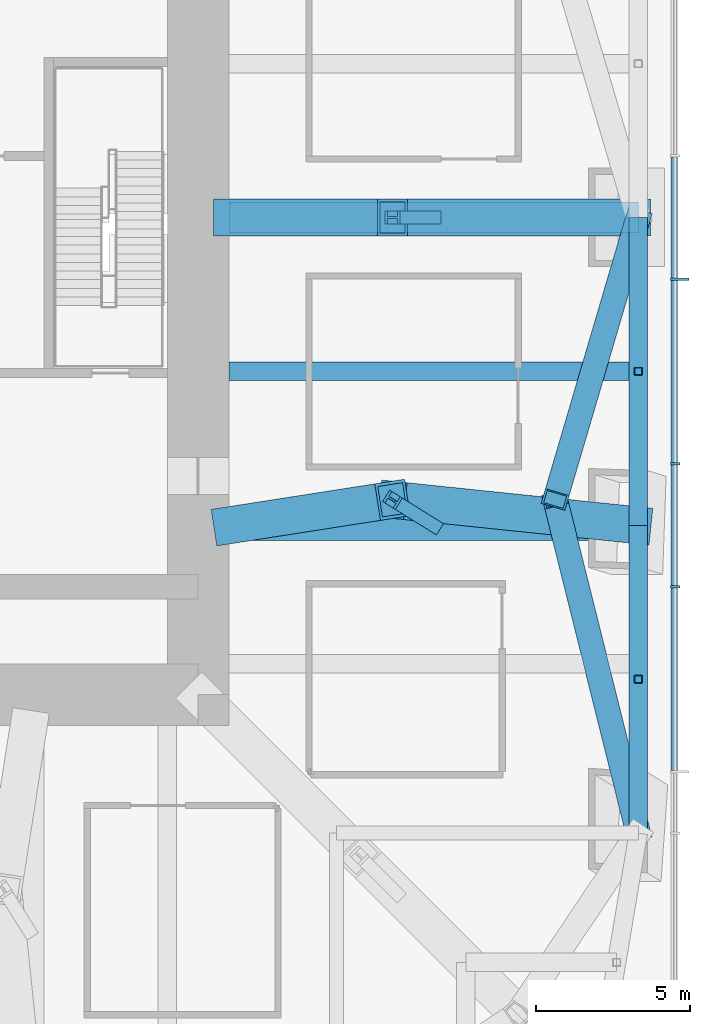
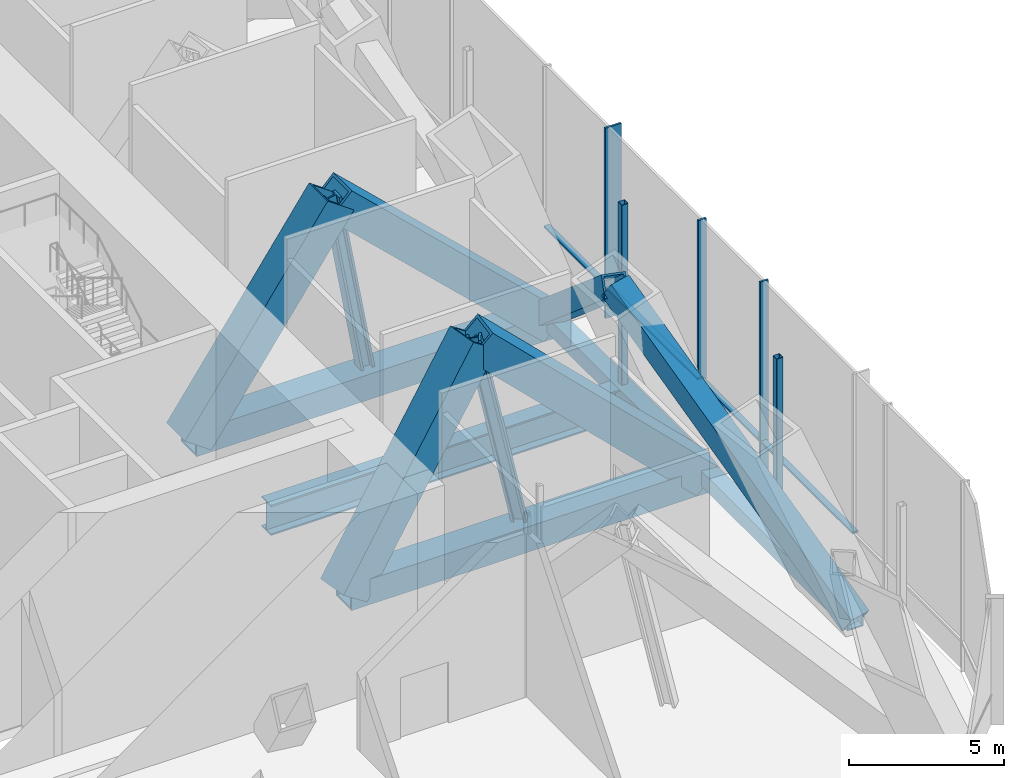
# One storey, part 5 of 20: 21 members, 1 beam, 1 element without a shape of its own.
"""IFC4 building model written with IfcOpenShell, lengths in metres."""

from ifc_helpers import new_model, si_unit, direction, frame, origin, origin_2d, place, context, subcontext, project, spatial, rectangle, hollow_rectangle, i_section, extrude, material, material_profile, profile_set, type_object, element, aggregate, save


model = new_model("IFC4")

# Units and contexts
model_context = context("Model", 3, precision=1e-05, world=origin(), true_north=direction((0.0, 1.0)))
body_context = subcontext(model_context, "Body", "Model", "MODEL_VIEW")
ifc_project = project(units=[si_unit("LENGTHUNIT", "METRE"), si_unit("AREAUNIT", "SQUARE_METRE"), si_unit("VOLUMEUNIT", "CUBIC_METRE"), si_unit("PLANEANGLEUNIT", "RADIAN"), si_unit("MASSUNIT", "GRAM", prefix="KILO")], contexts=[model_context])

# Site, building, storey
site_placement = place(None, origin())
site = spatial("IfcSite", under=ifc_project, at=site_placement, CompositionType="ELEMENT")
building_placement = place(site_placement, origin())
building = spatial("IfcBuilding", under=site, at=building_placement, Name="Khuree Lantern Residences", CompositionType="ELEMENT")
storey_placement = place(building_placement, frame((0.0, 0.0, 99.75)))
storey = spatial("IfcBuildingStorey", under=building, at=storey_placement, Name="L25", CompositionType="ELEMENT", Elevation=99.75)

# Beam
ifc_material_1 = material(Name="Steel S355", Category="steel")
ifc_material_profile_1 = material_profile(ifc_material_1, i_section(OverallWidth=0.60009765625, OverallDepth=1.199951171875, WebThickness=0.030029296875, FlangeThickness=0.06005859375, at=origin_2d()), Name="WELDED I 1200X600X30X60")
ifc_profile_set_1 = profile_set([ifc_material_profile_1], Name="Steel S355")
beam_type = type_object("IfcBeamType", Name="B-25 SECONDARY BEAM WELDED I 1200X600X30X60", PredefinedType="BEAM", material=ifc_profile_set_1)
beam_placement = place(storey_placement, frame((29.800048828125, -5.0, -0.949951171875), z_axis=(-1.0, 0.0, 0.0), x_axis=(0.0, -1.0, 0.0)))
element("IfcBeam", 1, at=beam_placement, inside=storey, type_object=beam_type, Name="Secondary beam E4", PredefinedType="BEAM", context=body_context, shape_type="SweptSolid", body=[
    extrude(i_section(OverallWidth=0.60009765625, OverallDepth=1.199951171875, WebThickness=0.030029296875, FlangeThickness=0.06005859375, at=origin_2d()), origin(), (0.0, 0.0, 1.0), 13.300048828125),
])

# Members
ifc_material_profile_2 = material_profile(ifc_material_1, hollow_rectangle(XDim=0.800048828125, YDim=0.800048828125, WallThickness=0.070068359375, at=origin_2d()), Name="WELDED BOX 800X800X70")
ifc_profile_set_2 = profile_set([ifc_material_profile_2], Name="Steel S355")
member_type_1 = type_object("IfcMemberType", Name="BD-25 BELT TRUSS DIAGONAL WELDED BOX 800X800X70", PredefinedType="BRACE", material=ifc_profile_set_2)
member_1_placement = place(storey_placement, frame((29.800048828125, 0.0, -0.64990234375), z_axis=(-0.22122462626, -0.750531400006, 0.622705614509), x_axis=(0.959199239774, -0.282731000098, 0.0)))
element("IfcMember", 2, at=member_1_placement, inside=storey, type_object=member_type_1, Name="Belt truss diagonal E4", PredefinedType="BRACE", context=body_context, shape_type="SweptSolid", body=[
    extrude(hollow_rectangle(XDim=0.800048828125, YDim=0.800048828125, WallThickness=0.070068359375, at=origin_2d()), origin(), (0.0, 0.0, 1.0), 12.20458984375),
])
member_2_placement = place(storey_placement, frame((27.10009765625, -9.159912109375, 6.949951171875), z_axis=(0.199829234991, -0.802298387089, -0.562481621849), x_axis=(0.970354244709, 0.241687069936, 0.0)))
element("IfcMember", 3, at=member_2_placement, inside=storey, type_object=member_type_1, Name="Belt truss diagonal E5", PredefinedType="BRACE", context=body_context, shape_type="SweptSolid", body=[
    extrude(hollow_rectangle(XDim=0.800048828125, YDim=0.800048828125, WallThickness=0.070068359375, at=origin_2d()), origin(), (0.0, 0.0, 1.0), 13.51123046875),
])
ifc_material_profile_3 = material_profile(ifc_material_1, hollow_rectangle(XDim=0.60009765625, YDim=0.60009765625, WallThickness=0.050048828125, at=origin_2d()), Name="WELDED BOX 600X600X50")
ifc_profile_set_3 = profile_set([ifc_material_profile_3], Name="Steel S355")
member_type_2 = type_object("IfcMemberType", Name="BT-25 BELT TRUSS CHORD WELDED BOX 600X600X50", PredefinedType="CHORD", material=ifc_profile_set_3)
for number, where, z_axis, x_axis, name in (
    (4, (29.800048828125, 0.0, -0.64990234375), (0.0, -1.0, 0.0), (1.0, 0.0, 0.0), "Belt truss chord E4"),
    (5, (29.800048828125, -10.0, -0.64990234375), (0.0, -1.0, 0.0), (1.0, 0.0, 0.0), "Belt truss chord E5"),
):
    element("IfcMember", number, at=place(storey_placement, frame(where, z_axis=z_axis, x_axis=x_axis)), inside=storey, type_object=member_type_2, Name=name, PredefinedType="CHORD", context=body_context, shape_type="SweptSolid", body=[
        extrude(hollow_rectangle(XDim=0.60009765625, YDim=0.60009765625, WallThickness=0.050048828125, at=origin_2d()), origin(), (0.0, 0.0, 1.0), 10.0),
    ])

# Curtain wall, members
ifc_material_2 = material(Name="Bronze anodised aluminium", Category="aluminium")
curtain_wall_type = type_object("IfcCurtainWallType", Name="CW-G PLANT STOREY LOUVRED CURTAIN WALL", PredefinedType="USERDEFINED", material=ifc_material_2)
curtain_wall_placement = place(storey_placement, origin())
curtain_wall = element("IfcCurtainWall", 6, at=curtain_wall_placement, inside=storey, type_object=curtain_wall_type, Name="L25 EAST FACE CURTAIN WALL", ObjectType="Louvred curtain wall", PredefinedType="USERDEFINED")
ifc_material_profile_4 = material_profile(ifc_material_2, rectangle(XDim=0.080078125, YDim=0.60009765625, at=origin_2d()), Name="F2 80X600")
ifc_profile_set_4 = profile_set([ifc_material_profile_4], Name="Bronze anodised aluminium")
member_type_3 = type_object("IfcMemberType", Name="F2 BRONZE FIN MULLION PLANT 80X600", PredefinedType="MULLION", material=ifc_profile_set_4)
member_3_placement = place(storey_placement, frame((31.14990234375, -2.0, 0.0), z_axis=(0.0, 0.0, 1.0), x_axis=(0.0, 1.0, 0.0)))
member_3 = element("IfcMember", 7, at=member_3_placement, type_object=member_type_3, Name="L25 EAST FACE FIN MULLION 9", PredefinedType="MULLION", context=body_context, shape_type="SweptSolid", body=[
    extrude(rectangle(XDim=0.080078125, YDim=0.60009765625, at=origin_2d()), origin(), (0.0, 0.0, 1.0), 7.5),
])
ifc_material_profile_5 = material_profile(ifc_material_2, rectangle(XDim=0.080078125, YDim=0.300048828125, at=origin_2d()), Name="M2 80X300")
ifc_profile_set_5 = profile_set([ifc_material_profile_5], Name="Bronze anodised aluminium")
member_type_4 = type_object("IfcMemberType", Name="MULLION M2 PLANT 80X300", PredefinedType="MULLION", material=ifc_profile_set_5)
member_4_placement = place(storey_placement, frame((31.0, -12.0, 0.0), z_axis=(0.0, 0.0, 1.0), x_axis=(0.0, 1.0, 0.0)))
member_4 = element("IfcMember", 8, at=member_4_placement, type_object=member_type_4, Name="L25 EAST FACE MULLION 7", PredefinedType="MULLION", context=body_context, shape_type="SweptSolid", body=[
    extrude(rectangle(XDim=0.080078125, YDim=0.300048828125, at=origin_2d()), origin(), (0.0, 0.0, 1.0), 7.5),
])
member_5_placement = place(storey_placement, frame((31.0, -8.0, 0.0), z_axis=(0.0, 0.0, 1.0), x_axis=(0.0, 1.0, 0.0)))
member_5 = element("IfcMember", 9, at=member_5_placement, type_object=member_type_4, Name="L25 EAST FACE MULLION 8", PredefinedType="MULLION", context=body_context, shape_type="SweptSolid", body=[
    extrude(rectangle(XDim=0.080078125, YDim=0.300048828125, at=origin_2d()), origin(), (0.0, 0.0, 1.0), 7.5),
])

# Members
ifc_material_profile_6 = material_profile(ifc_material_1, hollow_rectangle(XDim=1.199951171875, YDim=1.199951171875, WallThickness=0.10009765625, at=origin_2d()), Name="WELDED BOX 1200X1200X100")
ifc_profile_set_6 = profile_set([ifc_material_profile_6], Name="Steel S355")
member_type_5 = type_object("IfcMemberType", Name="OD-25 OUTRIGGER TRUSS DIAGONAL WELDED BOX 1200X1200X100", PredefinedType="BRACE", material=ifc_profile_set_6)
member_6_placement = place(storey_placement, frame((16.5, 0.0, -0.85009765625), z_axis=(0.573303353391, 0.0, 0.819343191215), x_axis=(0.0, 1.0, 0.0)))
element("IfcMember", 10, at=member_6_placement, inside=storey, type_object=member_type_5, Name="Outrigger diagonal E3 core side", PredefinedType="BRACE", context=body_context, shape_type="SweptSolid", body=[
    extrude(hollow_rectangle(XDim=1.199951171875, YDim=1.199951171875, WallThickness=0.10009765625, at=origin_2d()), origin(), (0.0, 0.0, 1.0), 9.27587890625),
])
member_7_placement = place(storey_placement, frame((21.81787109375, 0.0, 6.75), z_axis=(0.724227477195, 0.0, -0.689561136721), x_axis=(0.0, 1.0, 0.0)))
element("IfcMember", 11, at=member_7_placement, inside=storey, type_object=member_type_5, Name="Outrigger diagonal E3 column side", PredefinedType="BRACE", context=body_context, shape_type="SweptSolid", body=[
    extrude(hollow_rectangle(XDim=1.199951171875, YDim=1.199951171875, WallThickness=0.10009765625, at=origin_2d()), origin(), (0.0, 0.0, 1.0), 11.021728515625),
])
member_8_placement = place(storey_placement, frame((16.5, -10.0, -0.85009765625), z_axis=(0.571028170987, 0.089001957603, 0.81609158768), x_axis=(-0.154003250743, 0.988070340998, 0.0)))
element("IfcMember", 12, at=member_8_placement, inside=storey, type_object=member_type_5, Name="Outrigger diagonal E4 core side", PredefinedType="BRACE", context=body_context, shape_type="SweptSolid", body=[
    extrude(hollow_rectangle(XDim=1.199951171875, YDim=1.199951171875, WallThickness=0.10009765625, at=origin_2d()), origin(), (0.0, 0.0, 1.0), 9.312744140625),
])
member_9_placement = place(storey_placement, frame((21.81787109375, -9.171142578125, 6.75), z_axis=(0.722188208122, -0.074990945606, -0.687619480619), x_axis=(0.103283178244, 0.994651991951, 0.0)))
element("IfcMember", 13, at=member_9_placement, inside=storey, type_object=member_type_5, Name="Outrigger diagonal E4 column side", PredefinedType="BRACE", context=body_context, shape_type="SweptSolid", body=[
    extrude(hollow_rectangle(XDim=1.199951171875, YDim=1.199951171875, WallThickness=0.10009765625, at=origin_2d()), origin(), (0.0, 0.0, 1.0), 11.052734375),
])
ifc_material_profile_7 = material_profile(ifc_material_1, i_section(OverallWidth=0.431884765625, OverallDepth=0.498046875, WebThickness=0.0556640625, FlangeThickness=0.0888671875, FilletRadius=0.014892578125, at=origin_2d()), Name="HD 400X744")
ifc_profile_set_7 = profile_set([ifc_material_profile_7], Name="Steel S355")
member_type_6 = type_object("IfcMemberType", Name="OP-25 OUTRIGGER TRUSS POST HD 400X744", PredefinedType="POST", material=ifc_profile_set_7)
member_10_placement = place(storey_placement, frame((23.14990234375, 0.0, -0.85009765625), z_axis=(-0.172633608015, 0.0, 0.984986110249), x_axis=(0.0, -1.0, 0.0)))
element("IfcMember", 14, at=member_10_placement, inside=storey, type_object=member_type_6, Name="Outrigger post E3", PredefinedType="POST", context=body_context, shape_type="SweptSolid", body=[
    extrude(i_section(OverallWidth=0.431884765625, OverallDepth=0.498046875, WebThickness=0.0556640625, FlangeThickness=0.0888671875, FilletRadius=0.014892578125, at=origin_2d()), origin(), (0.0, 0.0, 1.0), 7.716064453125),
])
member_11_placement = place(storey_placement, frame((23.14990234375, -10.0, -0.85009765625), z_axis=(-0.171646105966, 0.106806915278, 0.979351773958), x_axis=(-0.528319337489, -0.849045745314, 0.0)))
element("IfcMember", 15, at=member_11_placement, inside=storey, type_object=member_type_6, Name="Outrigger post E4", PredefinedType="POST", context=body_context, shape_type="SweptSolid", body=[
    extrude(i_section(OverallWidth=0.431884765625, OverallDepth=0.498046875, WebThickness=0.0556640625, FlangeThickness=0.0888671875, FilletRadius=0.014892578125, at=origin_2d()), origin(), (0.0, 0.0, 1.0), 7.76025390625),
])
ifc_material_profile_8 = material_profile(ifc_material_1, hollow_rectangle(XDim=1.0, YDim=1.0, WallThickness=0.080078125, at=origin_2d()), Name="WELDED BOX 1000X1000X80")
ifc_profile_set_8 = profile_set([ifc_material_profile_8], Name="Steel S355")
member_type_7 = type_object("IfcMemberType", Name="OT-25 OUTRIGGER TRUSS CHORD WELDED BOX 1000X1000X80", PredefinedType="CHORD", material=ifc_profile_set_8)
for number, where, z_axis, x_axis, name in (
    (16, (29.800048828125, 0.0, -0.85009765625), (-1.0, 0.0, 0.0), (0.0, -1.0, 0.0), "Outrigger chord E3"),
    (17, (29.800048828125, -10.0, -0.85009765625), (-1.0, 0.0, 0.0), (0.0, -1.0, 0.0), "Outrigger chord E4"),
):
    element("IfcMember", number, at=place(storey_placement, frame(where, z_axis=z_axis, x_axis=x_axis)), inside=storey, type_object=member_type_7, Name=name, PredefinedType="CHORD", context=body_context, shape_type="SweptSolid", body=[
        extrude(hollow_rectangle(XDim=1.0, YDim=1.0, WallThickness=0.080078125, at=origin_2d()), origin(), (0.0, 0.0, 1.0), 13.300048828125),
    ])
ifc_material_profile_9 = material_profile(ifc_material_1, hollow_rectangle(XDim=0.25, YDim=0.25, WallThickness=0.012451171875, InnerFilletRadius=0.012451171875, OuterFilletRadius=0.018798828125, at=origin_2d()), Name="SHS 250X250X12.5")
ifc_profile_set_9 = profile_set([ifc_material_profile_9], Name="Steel S355")
member_type_8 = type_object("IfcMemberType", Name="TP1 TERRACE POST SHS 250X250X12.5", PredefinedType="POST", material=ifc_profile_set_9)
for number, where, z_axis, x_axis, name in (
    (18, (29.800048828125, -5.0, -0.35009765625), (0.0, 0.0, 1.0), (1.0, 0.0, 0.0), "Terrace post E4"),
    (19, (29.800048828125, -15.0, -0.35009765625), (0.0, 0.0, 1.0), (1.0, 0.0, 0.0), "Terrace post E5"),
):
    element("IfcMember", number, at=place(storey_placement, frame(where, z_axis=z_axis, x_axis=x_axis)), inside=storey, type_object=member_type_8, Name=name, PredefinedType="POST", context=body_context, shape_type="SweptSolid", body=[
        extrude(hollow_rectangle(XDim=0.25, YDim=0.25, WallThickness=0.012451171875, InnerFilletRadius=0.012451171875, OuterFilletRadius=0.018798828125, at=origin_2d()), origin(), (0.0, 0.0, 1.0), 7.10009765625),
    ])

# Member
ifc_material_profile_10 = material_profile(ifc_material_2, rectangle(XDim=0.219970703125, YDim=0.080078125, at=origin_2d()), Name="T2 220X80")
ifc_profile_set_10 = profile_set([ifc_material_profile_10], Name="Bronze anodised aluminium")
member_type_9 = type_object("IfcMemberType", Name="TRANSOM T2 PLANT 220X80", PredefinedType="USERDEFINED", material=ifc_profile_set_10)
member_12_placement = place(storey_placement, frame((30.969970703125, -17.9599609375, 1.199951171875), z_axis=(0.0, 1.0, 0.0), x_axis=(-1.0, 0.0, 0.0)))
member_12 = element("IfcMember", 20, at=member_12_placement, type_object=member_type_9, Name="L25 EAST FACE TRANSOM 6.1", ObjectType="Transom", PredefinedType="USERDEFINED", context=body_context, shape_type="SweptSolid", body=[
    extrude(rectangle(XDim=0.219970703125, YDim=0.080078125, at=origin_2d()), origin(), (0.0, 0.0, 1.0), 5.919921875),
])

member_13_placement = place(storey_placement, frame((30.969970703125, -11.9599609375, 1.199951171875), z_axis=(0.0, 1.0, 0.0), x_axis=(-1.0, 0.0, 0.0)))
member_13 = element("IfcMember", 21, at=member_13_placement, type_object=member_type_9, Name="L25 EAST FACE TRANSOM 7.1", ObjectType="Transom", PredefinedType="USERDEFINED", context=body_context, shape_type="SweptSolid", body=[
    extrude(rectangle(XDim=0.219970703125, YDim=0.080078125, at=origin_2d()), origin(), (0.0, 0.0, 1.0), 3.919921875),
])

member_14_placement = place(storey_placement, frame((30.969970703125, -7.9599609375, 1.199951171875), z_axis=(0.0, 1.0, 0.0), x_axis=(-1.0, 0.0, 0.0)))
member_14 = element("IfcMember", 22, at=member_14_placement, type_object=member_type_9, Name="L25 EAST FACE TRANSOM 8.1", ObjectType="Transom", PredefinedType="USERDEFINED", context=body_context, shape_type="SweptSolid", body=[
    extrude(rectangle(XDim=0.219970703125, YDim=0.080078125, at=origin_2d()), origin(), (0.0, 0.0, 1.0), 5.919921875),
])

member_15_placement = place(storey_placement, frame((30.969970703125, -1.9599609375, 1.199951171875), z_axis=(0.0, 1.0, 0.0), x_axis=(-1.0, 0.0, 0.0)))
member_15 = element("IfcMember", 23, at=member_15_placement, type_object=member_type_9, Name="L25 EAST FACE TRANSOM 9.1", ObjectType="Transom", PredefinedType="USERDEFINED", context=body_context, shape_type="SweptSolid", body=[
    extrude(rectangle(XDim=0.219970703125, YDim=0.080078125, at=origin_2d()), origin(), (0.0, 0.0, 1.0), 3.919921875),
])

aggregate(curtain_wall, [member_4, member_5, member_3, member_12, member_13, member_14, member_15])

save(model, "model.ifc")
